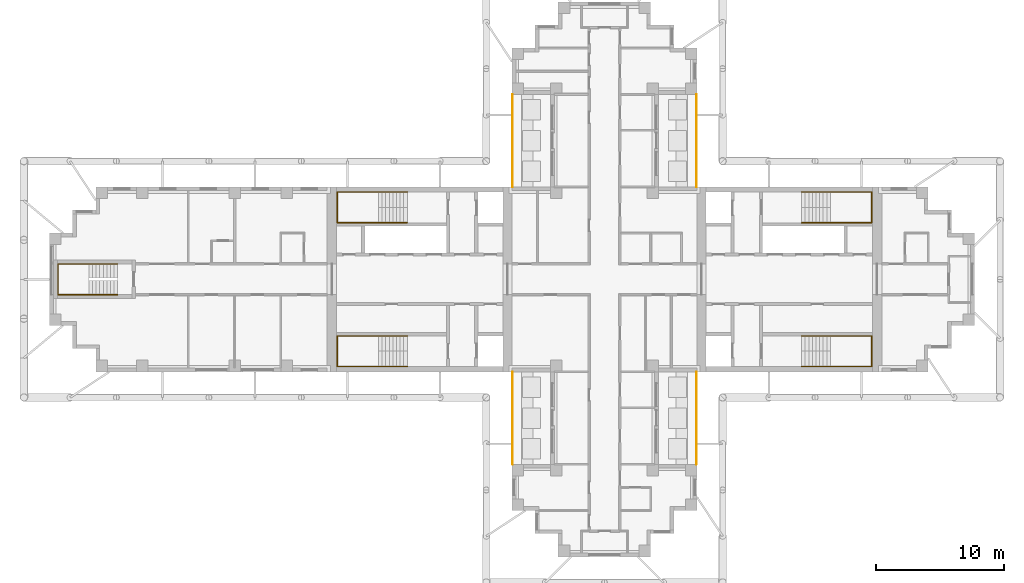
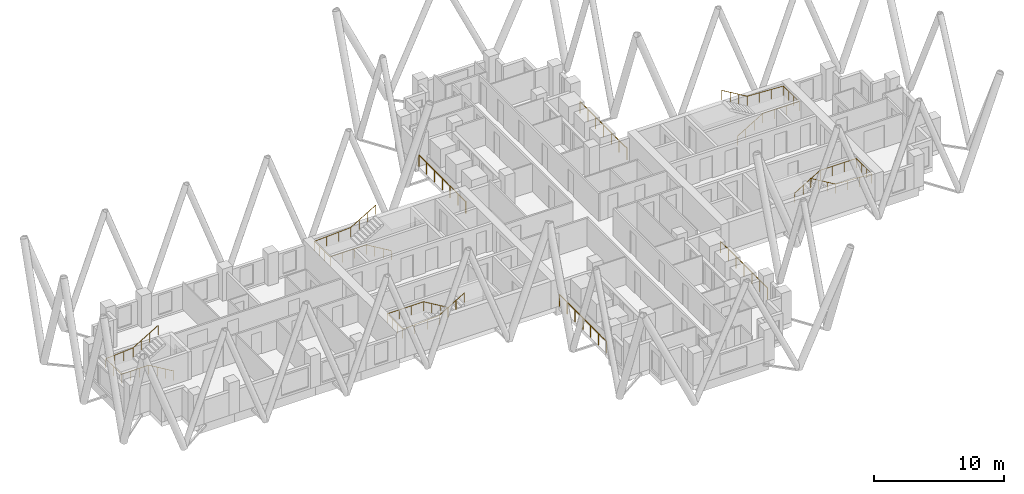
# One storey, part 11 of 12: 9 railings.
"""IFC4 building model written with IfcOpenShell, lengths in metres."""

from ifc_helpers import new_model, si_unit, direction, frame, origin, origin_2d, place, context, subcontext, project, spatial, circle, extrude, material, type_object, element, save


model = new_model("IFC4")

# Units and contexts
model_context = context("Model", 3, precision=1e-05, world=origin(), true_north=direction((0.0, 1.0)))
body_context = subcontext(model_context, "Body", "Model", "MODEL_VIEW")
ifc_project = project(units=[si_unit("LENGTHUNIT", "METRE"), si_unit("AREAUNIT", "SQUARE_METRE"), si_unit("VOLUMEUNIT", "CUBIC_METRE"), si_unit("PLANEANGLEUNIT", "RADIAN"), si_unit("MASSUNIT", "GRAM", prefix="KILO")], contexts=[model_context])

# Site, building, storey
site_placement = place(None, origin())
site = spatial("IfcSite", under=ifc_project, at=site_placement, CompositionType="ELEMENT")
building_placement = place(site_placement, origin())
building = spatial("IfcBuilding", under=site, at=building_placement, Name="Fustian Cross Tower", CompositionType="ELEMENT")
storey_placement = place(building_placement, frame((0.0, 0.0, 188.699951171875)))
storey = spatial("IfcBuildingStorey", under=building, at=storey_placement, Name="L59", CompositionType="ELEMENT", Elevation=188.699951171875)

# Railings
ifc_material_1 = material(Name="Stainless steel and glass", Category="steel")
railing_type_1 = type_object("IfcRailingType", Name="GR1 BALCONY GUARD 1100", PredefinedType="GUARDRAIL", material=ifc_material_1)
for number, where, name in (
    (1, (7.14990234375, 7.199951171875, 0.0), "Balcony guard"),
    (2, (-7.14990234375, 7.199951171875, 0.0), "Balcony guard"),
    (3, (7.14990234375, -14.39990234375, 0.0), "Balcony guard"),
    (4, (-7.14990234375, -14.39990234375, 0.0), "Balcony guard"),
):
    element("IfcRailing", number, at=place(storey_placement, frame(where)), inside=storey, type_object=railing_type_1, Name=name, PredefinedType="GUARDRAIL", context=body_context, shape_type="SweptSolid", body=[
        extrude(circle(Radius=0.02392578125, at=origin_2d()), frame((0.0, 0.0, 1.076171875), z_axis=(0.0, 1.0, 0.0), x_axis=(-1.0, 0.0, 0.0)), (0.0, 0.0, 1.0), 7.199951171875),
        extrude(circle(Radius=0.02099609375, at=origin_2d()), origin(), (0.0, 0.0, 1.0), 1.052001953125),
        extrude(circle(Radius=0.02099609375, at=origin_2d()), frame((0.0, 1.199951171875, 0.0)), (0.0, 0.0, 1.0), 1.052001953125),
        extrude(circle(Radius=0.02099609375, at=origin_2d()), frame((0.0, 2.39990234375, 0.0)), (0.0, 0.0, 1.0), 1.052001953125),
        extrude(circle(Radius=0.02099609375, at=origin_2d()), frame((0.0, 3.60009765625, 0.0)), (0.0, 0.0, 1.0), 1.052001953125),
        extrude(circle(Radius=0.02099609375, at=origin_2d()), frame((0.0, 4.800048828125, 0.0)), (0.0, 0.0, 1.0), 1.052001953125),
        extrude(circle(Radius=0.02099609375, at=origin_2d()), frame((0.0, 6.0, 0.0)), (0.0, 0.0, 1.0), 1.052001953125),
        extrude(circle(Radius=0.02099609375, at=origin_2d()), frame((0.0, 7.199951171875, 0.0)), (0.0, 0.0, 1.0), 1.052001953125),
    ])
ifc_material_2 = material(Name="Stainless steel", Category="steel")
railing_type_2 = type_object("IfcRailingType", Name="STAIR HANDRAIL", PredefinedType="HANDRAIL", material=ifc_material_2)
railing_1_placement = place(storey_placement, frame((15.35009765625, 4.39990234375, 0.166748046875)))
element("IfcRailing", 5, at=railing_1_placement, inside=storey, type_object=railing_type_2, Name="Stair ST1 handrail 1", PredefinedType="HANDRAIL", context=body_context, shape_type="SweptSolid", body=[
    extrude(circle(Radius=0.02490234375, at=origin_2d()), frame((0.0, 0.0, 0.875), z_axis=(0.859305625298, 0.0, 0.511462454469), x_axis=(0.0, 1.0, 0.0)), (0.0, 0.0, 1.0), 2.606689453125),
    extrude(circle(Radius=0.02490234375, at=origin_2d()), frame((2.239990234375, 0.0, 2.2080078125), z_axis=(1.0, 0.0, 0.0), x_axis=(0.0, 1.0, 0.0)), (0.0, 0.0, 1.0), 3.219970703125),
    extrude(circle(Radius=0.02490234375, at=origin_2d()), frame((5.4599609375, 0.0, 2.2080078125), z_axis=(0.0, 1.0, 0.0), x_axis=(-1.0, 0.0, 0.0)), (0.0, 0.0, 1.0), 2.400146484375),
    extrude(circle(Radius=0.02490234375, at=origin_2d()), frame((5.4599609375, 2.400146484375, 2.2080078125), z_axis=(-0.998661817807, 0.0, 0.051716280352), x_axis=(0.0, -1.0, 0.0)), (0.0, 0.0, 1.0), 3.224365234375),
    extrude(circle(Radius=0.02490234375, at=origin_2d()), frame((2.239990234375, 2.400146484375, 2.375), z_axis=(-0.859305625298, 0.0, 0.511462454469), x_axis=(0.0, -1.0, 0.0)), (0.0, 0.0, 1.0), 2.606689453125),
    extrude(circle(Radius=0.02001953125, at=origin_2d()), origin(), (0.0, 0.0, 1.0), 0.849853515625),
    extrude(circle(Radius=0.02001953125, at=origin_2d()), frame((0.74658203125, 0.0, 0.4443359375)), (0.0, 0.0, 1.0), 0.849853515625),
    extrude(circle(Radius=0.02001953125, at=origin_2d()), frame((1.493408203125, 0.0, 0.888916015625)), (0.0, 0.0, 1.0), 0.849853515625),
    extrude(circle(Radius=0.02001953125, at=origin_2d()), frame((2.239990234375, 0.0, 1.333251953125)), (0.0, 0.0, 1.0), 0.849853515625),
    extrude(circle(Radius=0.02001953125, at=origin_2d()), frame((3.313232421875, 0.0, 1.333251953125)), (0.0, 0.0, 1.0), 0.849853515625),
    extrude(circle(Radius=0.02001953125, at=origin_2d()), frame((4.38671875, 0.0, 1.333251953125)), (0.0, 0.0, 1.0), 0.849853515625),
    extrude(circle(Radius=0.02001953125, at=origin_2d()), frame((5.4599609375, 0.0, 1.333251953125)), (0.0, 0.0, 1.0), 0.849853515625),
    extrude(circle(Radius=0.02001953125, at=origin_2d()), frame((5.4599609375, 0.800048828125, 1.333251953125)), (0.0, 0.0, 1.0), 0.849853515625),
    extrude(circle(Radius=0.02001953125, at=origin_2d()), frame((5.4599609375, 1.60009765625, 1.333251953125)), (0.0, 0.0, 1.0), 0.849853515625),
    extrude(circle(Radius=0.02001953125, at=origin_2d()), frame((5.4599609375, 2.400146484375, 1.333251953125)), (0.0, 0.0, 1.0), 0.849853515625),
    extrude(circle(Radius=0.02001953125, at=origin_2d()), frame((4.38671875, 2.400146484375, 1.388916015625)), (0.0, 0.0, 1.0), 0.849853515625),
    extrude(circle(Radius=0.02001953125, at=origin_2d()), frame((3.313232421875, 2.400146484375, 1.4443359375)), (0.0, 0.0, 1.0), 0.849853515625),
    extrude(circle(Radius=0.02001953125, at=origin_2d()), frame((2.239990234375, 2.400146484375, 1.5)), (0.0, 0.0, 1.0), 0.849853515625),
    extrude(circle(Radius=0.02001953125, at=origin_2d()), frame((1.493408203125, 2.400146484375, 1.9443359375)), (0.0, 0.0, 1.0), 0.849853515625),
    extrude(circle(Radius=0.02001953125, at=origin_2d()), frame((0.74658203125, 2.400146484375, 2.388916015625)), (0.0, 0.0, 1.0), 0.849853515625),
    extrude(circle(Radius=0.02001953125, at=origin_2d()), frame((0.0, 2.400146484375, 2.833251953125)), (0.0, 0.0, 1.0), 0.849853515625),
])
railing_2_placement = place(storey_placement, frame((15.35009765625, -4.39990234375, 0.166748046875)))
element("IfcRailing", 6, at=railing_2_placement, inside=storey, type_object=railing_type_2, Name="Stair ST2 handrail 1", PredefinedType="HANDRAIL", context=body_context, shape_type="SweptSolid", body=[
    extrude(circle(Radius=0.02490234375, at=origin_2d()), frame((0.0, 0.0, 0.875), z_axis=(0.859305625298, 0.0, 0.511462454469), x_axis=(0.0, 1.0, 0.0)), (0.0, 0.0, 1.0), 2.606689453125),
    extrude(circle(Radius=0.02490234375, at=origin_2d()), frame((2.239990234375, 0.0, 2.2080078125), z_axis=(1.0, 0.0, 0.0), x_axis=(0.0, 1.0, 0.0)), (0.0, 0.0, 1.0), 3.219970703125),
    extrude(circle(Radius=0.02490234375, at=origin_2d()), frame((5.4599609375, 0.0, 2.2080078125), z_axis=(0.0, -1.0, 0.0), x_axis=(1.0, 0.0, 0.0)), (0.0, 0.0, 1.0), 2.400146484375),
    extrude(circle(Radius=0.02490234375, at=origin_2d()), frame((5.4599609375, -2.400146484375, 2.2080078125), z_axis=(-0.998661817807, 0.0, 0.051716280352), x_axis=(0.0, -1.0, 0.0)), (0.0, 0.0, 1.0), 3.224365234375),
    extrude(circle(Radius=0.02490234375, at=origin_2d()), frame((2.239990234375, -2.400146484375, 2.375), z_axis=(-0.859305625298, 0.0, 0.511462454469), x_axis=(0.0, -1.0, 0.0)), (0.0, 0.0, 1.0), 2.606689453125),
    extrude(circle(Radius=0.02001953125, at=origin_2d()), origin(), (0.0, 0.0, 1.0), 0.849853515625),
    extrude(circle(Radius=0.02001953125, at=origin_2d()), frame((0.74658203125, 0.0, 0.4443359375)), (0.0, 0.0, 1.0), 0.849853515625),
    extrude(circle(Radius=0.02001953125, at=origin_2d()), frame((1.493408203125, 0.0, 0.888916015625)), (0.0, 0.0, 1.0), 0.849853515625),
    extrude(circle(Radius=0.02001953125, at=origin_2d()), frame((2.239990234375, 0.0, 1.333251953125)), (0.0, 0.0, 1.0), 0.849853515625),
    extrude(circle(Radius=0.02001953125, at=origin_2d()), frame((3.313232421875, 0.0, 1.333251953125)), (0.0, 0.0, 1.0), 0.849853515625),
    extrude(circle(Radius=0.02001953125, at=origin_2d()), frame((4.38671875, 0.0, 1.333251953125)), (0.0, 0.0, 1.0), 0.849853515625),
    extrude(circle(Radius=0.02001953125, at=origin_2d()), frame((5.4599609375, 0.0, 1.333251953125)), (0.0, 0.0, 1.0), 0.849853515625),
    extrude(circle(Radius=0.02001953125, at=origin_2d()), frame((5.4599609375, -0.800048828125, 1.333251953125)), (0.0, 0.0, 1.0), 0.849853515625),
    extrude(circle(Radius=0.02001953125, at=origin_2d()), frame((5.4599609375, -1.60009765625, 1.333251953125)), (0.0, 0.0, 1.0), 0.849853515625),
    extrude(circle(Radius=0.02001953125, at=origin_2d()), frame((5.4599609375, -2.400146484375, 1.333251953125)), (0.0, 0.0, 1.0), 0.849853515625),
    extrude(circle(Radius=0.02001953125, at=origin_2d()), frame((4.38671875, -2.400146484375, 1.388916015625)), (0.0, 0.0, 1.0), 0.849853515625),
    extrude(circle(Radius=0.02001953125, at=origin_2d()), frame((3.313232421875, -2.400146484375, 1.4443359375)), (0.0, 0.0, 1.0), 0.849853515625),
    extrude(circle(Radius=0.02001953125, at=origin_2d()), frame((2.239990234375, -2.400146484375, 1.5)), (0.0, 0.0, 1.0), 0.849853515625),
    extrude(circle(Radius=0.02001953125, at=origin_2d()), frame((1.493408203125, -2.400146484375, 1.9443359375)), (0.0, 0.0, 1.0), 0.849853515625),
    extrude(circle(Radius=0.02001953125, at=origin_2d()), frame((0.74658203125, -2.400146484375, 2.388916015625)), (0.0, 0.0, 1.0), 0.849853515625),
    extrude(circle(Radius=0.02001953125, at=origin_2d()), frame((0.0, -2.400146484375, 2.833251953125)), (0.0, 0.0, 1.0), 0.849853515625),
])
railing_3_placement = place(storey_placement, frame((-15.35009765625, 4.39990234375, 0.166748046875)))
element("IfcRailing", 7, at=railing_3_placement, inside=storey, type_object=railing_type_2, Name="Stair ST3 handrail 1", PredefinedType="HANDRAIL", context=body_context, shape_type="SweptSolid", body=[
    extrude(circle(Radius=0.02490234375, at=origin_2d()), frame((0.0, 0.0, 0.875), z_axis=(-0.859305625298, 0.0, 0.511462454469), x_axis=(0.0, -1.0, 0.0)), (0.0, 0.0, 1.0), 2.606689453125),
    extrude(circle(Radius=0.02490234375, at=origin_2d()), frame((-2.239990234375, 0.0, 2.2080078125), z_axis=(-1.0, 0.0, 0.0), x_axis=(0.0, -1.0, 0.0)), (0.0, 0.0, 1.0), 3.219970703125),
    extrude(circle(Radius=0.02490234375, at=origin_2d()), frame((-5.4599609375, 0.0, 2.2080078125), z_axis=(0.0, 1.0, 0.0), x_axis=(-1.0, 0.0, 0.0)), (0.0, 0.0, 1.0), 2.400146484375),
    extrude(circle(Radius=0.02490234375, at=origin_2d()), frame((-5.4599609375, 2.400146484375, 2.2080078125), z_axis=(0.998661817807, 0.0, 0.051716280352), x_axis=(0.0, 1.0, 0.0)), (0.0, 0.0, 1.0), 3.224365234375),
    extrude(circle(Radius=0.02490234375, at=origin_2d()), frame((-2.239990234375, 2.400146484375, 2.375), z_axis=(0.859305625298, 0.0, 0.511462454469), x_axis=(0.0, 1.0, 0.0)), (0.0, 0.0, 1.0), 2.606689453125),
    extrude(circle(Radius=0.02001953125, at=origin_2d()), origin(), (0.0, 0.0, 1.0), 0.849853515625),
    extrude(circle(Radius=0.02001953125, at=origin_2d()), frame((-0.74658203125, 0.0, 0.4443359375)), (0.0, 0.0, 1.0), 0.849853515625),
    extrude(circle(Radius=0.02001953125, at=origin_2d()), frame((-1.493408203125, 0.0, 0.888916015625)), (0.0, 0.0, 1.0), 0.849853515625),
    extrude(circle(Radius=0.02001953125, at=origin_2d()), frame((-2.239990234375, 0.0, 1.333251953125)), (0.0, 0.0, 1.0), 0.849853515625),
    extrude(circle(Radius=0.02001953125, at=origin_2d()), frame((-3.313232421875, 0.0, 1.333251953125)), (0.0, 0.0, 1.0), 0.849853515625),
    extrude(circle(Radius=0.02001953125, at=origin_2d()), frame((-4.38671875, 0.0, 1.333251953125)), (0.0, 0.0, 1.0), 0.849853515625),
    extrude(circle(Radius=0.02001953125, at=origin_2d()), frame((-5.4599609375, 0.0, 1.333251953125)), (0.0, 0.0, 1.0), 0.849853515625),
    extrude(circle(Radius=0.02001953125, at=origin_2d()), frame((-5.4599609375, 0.800048828125, 1.333251953125)), (0.0, 0.0, 1.0), 0.849853515625),
    extrude(circle(Radius=0.02001953125, at=origin_2d()), frame((-5.4599609375, 1.60009765625, 1.333251953125)), (0.0, 0.0, 1.0), 0.849853515625),
    extrude(circle(Radius=0.02001953125, at=origin_2d()), frame((-5.4599609375, 2.400146484375, 1.333251953125)), (0.0, 0.0, 1.0), 0.849853515625),
    extrude(circle(Radius=0.02001953125, at=origin_2d()), frame((-4.38671875, 2.400146484375, 1.388916015625)), (0.0, 0.0, 1.0), 0.849853515625),
    extrude(circle(Radius=0.02001953125, at=origin_2d()), frame((-3.313232421875, 2.400146484375, 1.4443359375)), (0.0, 0.0, 1.0), 0.849853515625),
    extrude(circle(Radius=0.02001953125, at=origin_2d()), frame((-2.239990234375, 2.400146484375, 1.5)), (0.0, 0.0, 1.0), 0.849853515625),
    extrude(circle(Radius=0.02001953125, at=origin_2d()), frame((-1.493408203125, 2.400146484375, 1.9443359375)), (0.0, 0.0, 1.0), 0.849853515625),
    extrude(circle(Radius=0.02001953125, at=origin_2d()), frame((-0.74658203125, 2.400146484375, 2.388916015625)), (0.0, 0.0, 1.0), 0.849853515625),
    extrude(circle(Radius=0.02001953125, at=origin_2d()), frame((0.0, 2.400146484375, 2.833251953125)), (0.0, 0.0, 1.0), 0.849853515625),
])
railing_4_placement = place(storey_placement, frame((-15.35009765625, -4.39990234375, 0.166748046875)))
element("IfcRailing", 8, at=railing_4_placement, inside=storey, type_object=railing_type_2, Name="Stair ST4 handrail 1", PredefinedType="HANDRAIL", context=body_context, shape_type="SweptSolid", body=[
    extrude(circle(Radius=0.02490234375, at=origin_2d()), frame((0.0, 0.0, 0.875), z_axis=(-0.859305625298, 0.0, 0.511462454469), x_axis=(0.0, -1.0, 0.0)), (0.0, 0.0, 1.0), 2.606689453125),
    extrude(circle(Radius=0.02490234375, at=origin_2d()), frame((-2.239990234375, 0.0, 2.2080078125), z_axis=(-1.0, 0.0, 0.0), x_axis=(0.0, -1.0, 0.0)), (0.0, 0.0, 1.0), 3.219970703125),
    extrude(circle(Radius=0.02490234375, at=origin_2d()), frame((-5.4599609375, 0.0, 2.2080078125), z_axis=(0.0, -1.0, 0.0), x_axis=(1.0, 0.0, 0.0)), (0.0, 0.0, 1.0), 2.400146484375),
    extrude(circle(Radius=0.02490234375, at=origin_2d()), frame((-5.4599609375, -2.400146484375, 2.2080078125), z_axis=(0.998661817807, 0.0, 0.051716280352), x_axis=(0.0, 1.0, 0.0)), (0.0, 0.0, 1.0), 3.224365234375),
    extrude(circle(Radius=0.02490234375, at=origin_2d()), frame((-2.239990234375, -2.400146484375, 2.375), z_axis=(0.859305625298, 0.0, 0.511462454469), x_axis=(0.0, 1.0, 0.0)), (0.0, 0.0, 1.0), 2.606689453125),
    extrude(circle(Radius=0.02001953125, at=origin_2d()), origin(), (0.0, 0.0, 1.0), 0.849853515625),
    extrude(circle(Radius=0.02001953125, at=origin_2d()), frame((-0.74658203125, 0.0, 0.4443359375)), (0.0, 0.0, 1.0), 0.849853515625),
    extrude(circle(Radius=0.02001953125, at=origin_2d()), frame((-1.493408203125, 0.0, 0.888916015625)), (0.0, 0.0, 1.0), 0.849853515625),
    extrude(circle(Radius=0.02001953125, at=origin_2d()), frame((-2.239990234375, 0.0, 1.333251953125)), (0.0, 0.0, 1.0), 0.849853515625),
    extrude(circle(Radius=0.02001953125, at=origin_2d()), frame((-3.313232421875, 0.0, 1.333251953125)), (0.0, 0.0, 1.0), 0.849853515625),
    extrude(circle(Radius=0.02001953125, at=origin_2d()), frame((-4.38671875, 0.0, 1.333251953125)), (0.0, 0.0, 1.0), 0.849853515625),
    extrude(circle(Radius=0.02001953125, at=origin_2d()), frame((-5.4599609375, 0.0, 1.333251953125)), (0.0, 0.0, 1.0), 0.849853515625),
    extrude(circle(Radius=0.02001953125, at=origin_2d()), frame((-5.4599609375, -0.800048828125, 1.333251953125)), (0.0, 0.0, 1.0), 0.849853515625),
    extrude(circle(Radius=0.02001953125, at=origin_2d()), frame((-5.4599609375, -1.60009765625, 1.333251953125)), (0.0, 0.0, 1.0), 0.849853515625),
    extrude(circle(Radius=0.02001953125, at=origin_2d()), frame((-5.4599609375, -2.400146484375, 1.333251953125)), (0.0, 0.0, 1.0), 0.849853515625),
    extrude(circle(Radius=0.02001953125, at=origin_2d()), frame((-4.38671875, -2.400146484375, 1.388916015625)), (0.0, 0.0, 1.0), 0.849853515625),
    extrude(circle(Radius=0.02001953125, at=origin_2d()), frame((-3.313232421875, -2.400146484375, 1.4443359375)), (0.0, 0.0, 1.0), 0.849853515625),
    extrude(circle(Radius=0.02001953125, at=origin_2d()), frame((-2.239990234375, -2.400146484375, 1.5)), (0.0, 0.0, 1.0), 0.849853515625),
    extrude(circle(Radius=0.02001953125, at=origin_2d()), frame((-1.493408203125, -2.400146484375, 1.9443359375)), (0.0, 0.0, 1.0), 0.849853515625),
    extrude(circle(Radius=0.02001953125, at=origin_2d()), frame((-0.74658203125, -2.400146484375, 2.388916015625)), (0.0, 0.0, 1.0), 0.849853515625),
    extrude(circle(Radius=0.02001953125, at=origin_2d()), frame((0.0, -2.400146484375, 2.833251953125)), (0.0, 0.0, 1.0), 0.849853515625),
])
railing_5_placement = place(storey_placement, frame((-37.89990234375, -1.199951171875, 0.166748046875)))
element("IfcRailing", 9, at=railing_5_placement, inside=storey, type_object=railing_type_2, Name="Stair ST9 handrail 1", PredefinedType="HANDRAIL", context=body_context, shape_type="SweptSolid", body=[
    extrude(circle(Radius=0.02490234375, at=origin_2d()), frame((0.0, 0.0, 0.875), z_axis=(-0.859305625298, 0.0, 0.511462454469), x_axis=(0.0, -1.0, 0.0)), (0.0, 0.0, 1.0), 2.606689453125),
    extrude(circle(Radius=0.02490234375, at=origin_2d()), frame((-2.239990234375, 0.0, 2.2080078125), z_axis=(-1.0, 0.0, 0.0), x_axis=(0.0, -1.0, 0.0)), (0.0, 0.0, 1.0), 2.420166015625),
    extrude(circle(Radius=0.02490234375, at=origin_2d()), frame((-4.66015625, 0.0, 2.2080078125), z_axis=(0.0, 1.0, 0.0), x_axis=(-1.0, 0.0, 0.0)), (0.0, 0.0, 1.0), 2.39990234375),
    extrude(circle(Radius=0.02490234375, at=origin_2d()), frame((-4.66015625, 2.39990234375, 2.2080078125), z_axis=(0.997634852044, 0.0, 0.068736467663), x_axis=(0.0, 1.0, 0.0)), (0.0, 0.0, 1.0), 2.426025390625),
    extrude(circle(Radius=0.02490234375, at=origin_2d()), frame((-2.239990234375, 2.39990234375, 2.375), z_axis=(0.859305625298, 0.0, 0.511462454469), x_axis=(0.0, 1.0, 0.0)), (0.0, 0.0, 1.0), 2.606689453125),
    extrude(circle(Radius=0.02001953125, at=origin_2d()), origin(), (0.0, 0.0, 1.0), 0.849853515625),
    extrude(circle(Radius=0.02001953125, at=origin_2d()), frame((-0.74658203125, 0.0, 0.4443359375)), (0.0, 0.0, 1.0), 0.849853515625),
    extrude(circle(Radius=0.02001953125, at=origin_2d()), frame((-1.493408203125, 0.0, 0.888916015625)), (0.0, 0.0, 1.0), 0.849853515625),
    extrude(circle(Radius=0.02001953125, at=origin_2d()), frame((-2.239990234375, 0.0, 1.333251953125)), (0.0, 0.0, 1.0), 0.849853515625),
    extrude(circle(Radius=0.02001953125, at=origin_2d()), frame((-3.046630859375, 0.0, 1.333251953125)), (0.0, 0.0, 1.0), 0.849853515625),
    extrude(circle(Radius=0.02001953125, at=origin_2d()), frame((-3.853515625, 0.0, 1.333251953125)), (0.0, 0.0, 1.0), 0.849853515625),
    extrude(circle(Radius=0.02001953125, at=origin_2d()), frame((-4.66015625, 0.0, 1.333251953125)), (0.0, 0.0, 1.0), 0.849853515625),
    extrude(circle(Radius=0.02001953125, at=origin_2d()), frame((-4.66015625, 1.199951171875, 1.333251953125)), (0.0, 0.0, 1.0), 0.849853515625),
    extrude(circle(Radius=0.02001953125, at=origin_2d()), frame((-4.66015625, 2.39990234375, 1.333251953125)), (0.0, 0.0, 1.0), 0.849853515625),
    extrude(circle(Radius=0.02001953125, at=origin_2d()), frame((-3.853515625, 2.39990234375, 1.388916015625)), (0.0, 0.0, 1.0), 0.849853515625),
    extrude(circle(Radius=0.02001953125, at=origin_2d()), frame((-3.046630859375, 2.39990234375, 1.4443359375)), (0.0, 0.0, 1.0), 0.849853515625),
    extrude(circle(Radius=0.02001953125, at=origin_2d()), frame((-2.239990234375, 2.39990234375, 1.5)), (0.0, 0.0, 1.0), 0.849853515625),
    extrude(circle(Radius=0.02001953125, at=origin_2d()), frame((-1.493408203125, 2.39990234375, 1.9443359375)), (0.0, 0.0, 1.0), 0.849853515625),
    extrude(circle(Radius=0.02001953125, at=origin_2d()), frame((-0.74658203125, 2.39990234375, 2.388916015625)), (0.0, 0.0, 1.0), 0.849853515625),
    extrude(circle(Radius=0.02001953125, at=origin_2d()), frame((0.0, 2.39990234375, 2.833251953125)), (0.0, 0.0, 1.0), 0.849853515625),
])

save(model, "model.ifc")
